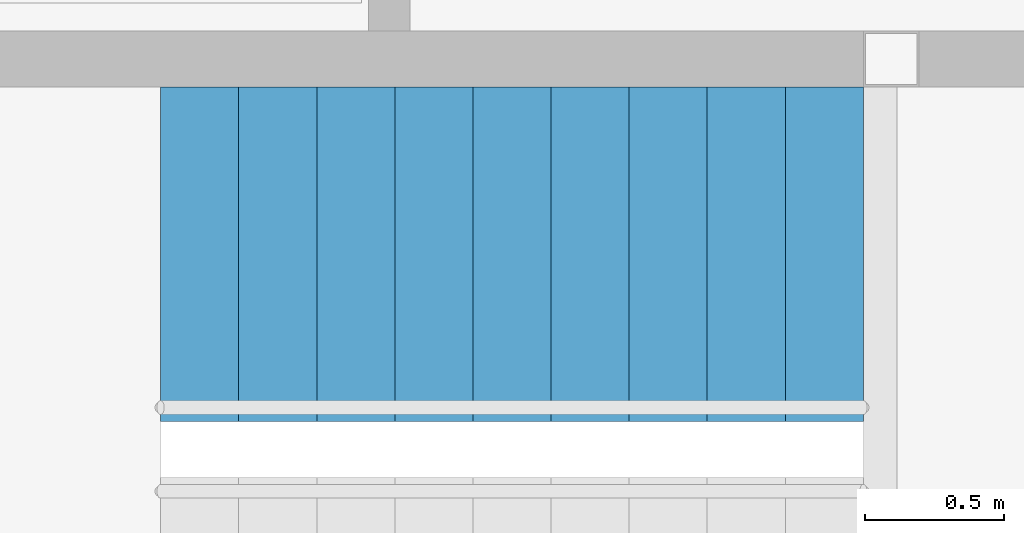
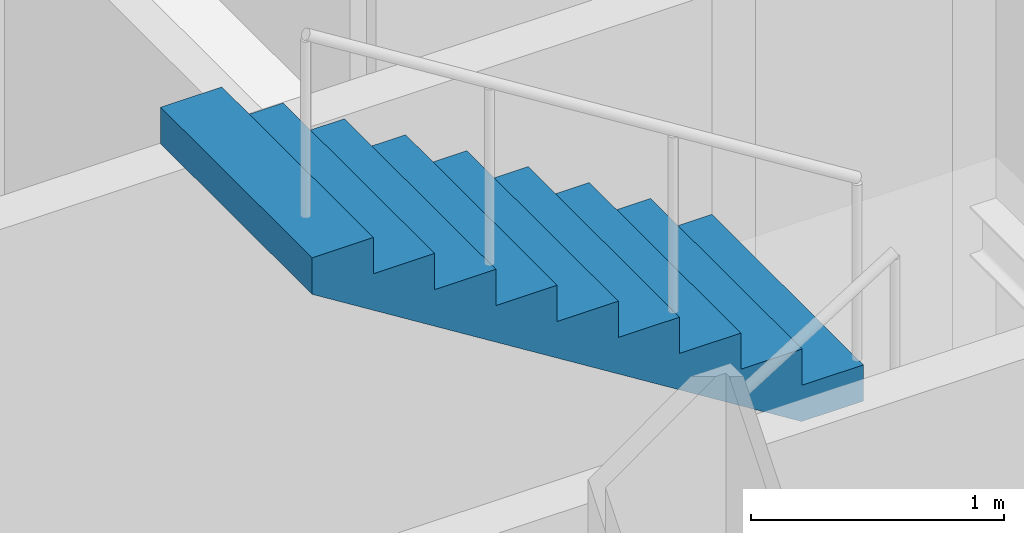
# One storey, part 17 of 20: 1 stair flight, 1 element without a shape of its own.
"""IFC4 building model written with IfcOpenShell, lengths in metres."""

from ifc_helpers import new_model, si_unit, direction, frame, origin, place, context, subcontext, project, spatial, polyline, outline, extrude, material, type_object, element, aggregate, save


model = new_model("IFC4")

# Units and contexts
model_context = context("Model", 3, precision=1e-05, world=origin(), true_north=direction((0.0, 1.0)))
body_context = subcontext(model_context, "Body", "Model", "MODEL_VIEW")
ifc_project = project(units=[si_unit("LENGTHUNIT", "METRE"), si_unit("AREAUNIT", "SQUARE_METRE"), si_unit("VOLUMEUNIT", "CUBIC_METRE"), si_unit("PLANEANGLEUNIT", "RADIAN"), si_unit("MASSUNIT", "GRAM", prefix="KILO")], contexts=[model_context])

# Site, building, storey
site_placement = place(None, origin())
site = spatial("IfcSite", under=ifc_project, at=site_placement, CompositionType="ELEMENT")
building_placement = place(site_placement, origin())
building = spatial("IfcBuilding", under=site, at=building_placement, Name="Kvirike Care Tower", CompositionType="ELEMENT")
storey_placement = place(building_placement, frame((0.0, 0.0, 119.0)))
storey = spatial("IfcBuildingStorey", under=building, at=storey_placement, Name="L32", CompositionType="ELEMENT", Elevation=119.0)

# Stair, stair flight
ifc_material_1 = material(Name="Concrete C35/45", Category="concrete")
stair_type = type_object("IfcStairType", Name="STAIR 20 RISERS", PredefinedType="HALF_TURN_STAIR", material=ifc_material_1)
stair_placement = place(storey_placement, origin())
stair = element("IfcStair", 1, at=stair_placement, inside=storey, type_object=stair_type, Name="Stair 2 L32", PredefinedType="HALF_TURN_STAIR")
ifc_material_2 = material(Name="Concrete C35/45", Category="concrete")
stair_flight_type = type_object("IfcStairFlightType", Name="FLIGHT 10 RISERS", PredefinedType="STRAIGHT", material=ifc_material_2)
stair_flight_placement = place(storey_placement, frame((35.5, 31.39990234375, 1.75), z_axis=(0.0, 0.0, 1.0), x_axis=(-1.0, 0.0, 0.0)))
stair_flight = element("IfcStairFlight", 2, at=stair_flight_placement, type_object=stair_flight_type, Name="Stair S2 flight 2 L32-L33", NumberOfRisers=10, NumberOfTreads=9, PredefinedType="STRAIGHT", RiserHeight=0.175, TreadLength=0.28, context=body_context, shape_type="SweptSolid", body=[
    extrude(outline(polyline([(0.0, 0.0), (0.0, 0.175048828125), (0.280029296875, 0.175048828125), (0.280029296875, 0.35009765625), (0.56005859375, 0.35009765625), (0.56005859375, 0.52490234375), (0.840087890625, 0.52490234375), (0.840087890625, 0.699951171875), (1.1201171875, 0.699951171875), (1.1201171875, 0.875), (1.39990234375, 0.875), (1.39990234375, 1.050048828125), (1.679931640625, 1.050048828125), (1.679931640625, 1.22509765625), (1.9599609375, 1.22509765625), (1.9599609375, 1.39990234375), (2.239990234375, 1.39990234375), (2.239990234375, 1.574951171875), (2.52001953125, 1.574951171875), (2.52001953125, 1.75), (2.52001953125, 1.398193359375), (0.28271484375, 0.0), (0.0, 0.0)])), frame((0.0, 0.60009765625, 0.0), z_axis=(0.0, -1.0, 0.0), x_axis=(1.0, 0.0, 0.0)), (0.0, 0.0, 1.0), 1.199951171875),
])
aggregate(stair, [stair_flight])

save(model, "model.ifc")
